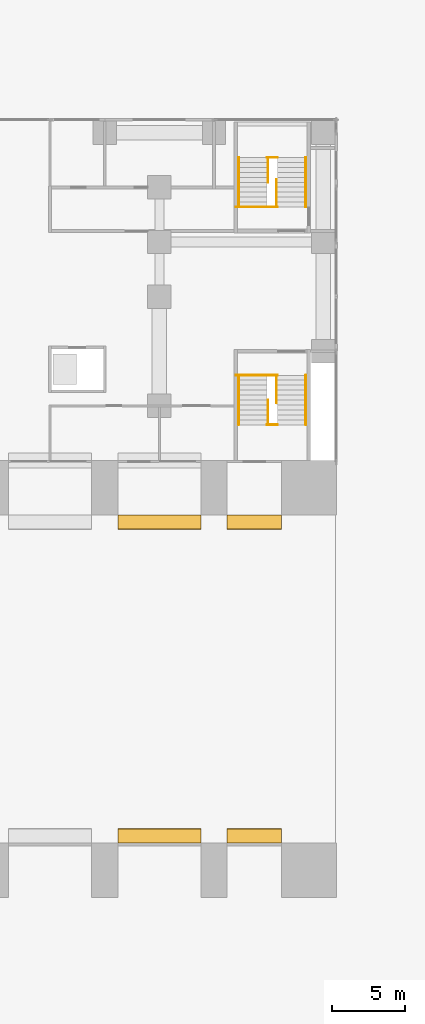
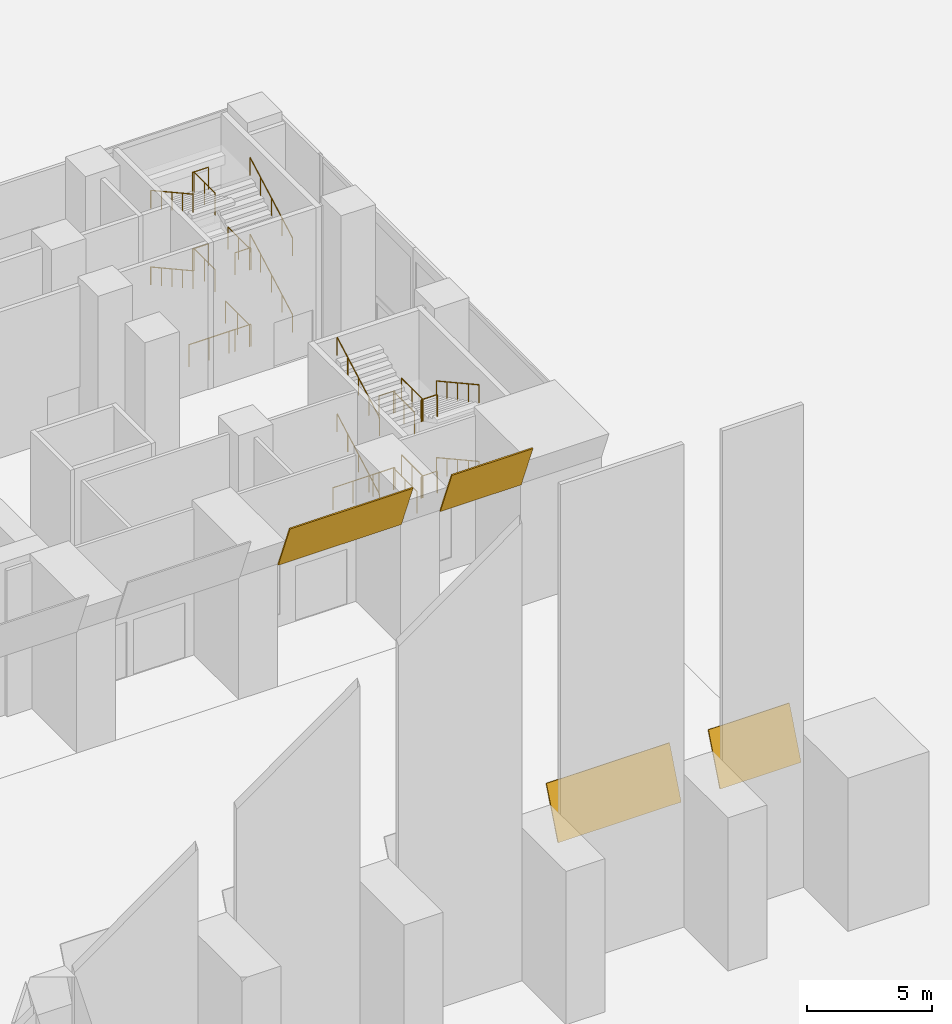
# One storey, part 20 of 21: 26 railings, 4 coverings.
"""IFC4 building model written with IfcOpenShell, lengths in metres."""

import ifcopenshell
import ifcopenshell.guid

model = None  # the IFC model being written
_history = None  # IfcOwnerHistory: only IFC2X3 demands one
_inside = {}  # id of a spatial element -> (the spatial element, [elements in it])
_under = {}  # id of a project, library or spatial element -> (it, [spatial elements below it])
_declared = {}  # id of a project -> (the project, [libraries it declares])
_typed = {}  # id of a type object -> (the type object, [elements of that type])
_made_of = {}  # id of a material, layer set ... -> (it, [elements and type objects made of it])


def new_model(schema):
    """Start an empty IFC model of exactly this schema.

    Asked for "IFC4X3", IfcOpenShell would pick the latest addendum, in which some entities
    have other attributes; the version numbers below select the first issue.
    IFC2X3 requires an IfcOwnerHistory on every rooted entity: one is made here for all.
    """
    global model, _history
    if schema == "IFC4X3":
        model = ifcopenshell.file(schema_version=(4, 3, 0, 0))
    else:
        model = ifcopenshell.file(schema=schema)
    _inside.clear()
    _under.clear()
    _declared.clear()
    _typed.clear()
    _made_of.clear()
    _history = None
    if model.schema == "IFC2X3":
        org = make("IfcOrganization", Name="unknown")
        user = make(
            "IfcPersonAndOrganization",
            ThePerson=make("IfcPerson", FamilyName="unknown"),
            TheOrganization=org,
        )
        app = make(
            "IfcApplication",
            ApplicationDeveloper=org,
            Version="unknown",
            ApplicationFullName="unknown",
            ApplicationIdentifier="unknown",
        )
        _history = make(
            "IfcOwnerHistory",
            OwningUser=user,
            OwningApplication=app,
            ChangeAction="ADDED",
            CreationDate=0,
        )
    return model


def make(cls, **values):
    """One entity of the class cls with the attributes given. An attribute that is None is left unset."""
    return model.create_entity(
        cls, **{name: value for name, value in values.items() if value is not None}
    )


def rooted(cls, **values):
    """An entity with a GlobalId (a new one), such as an element, a storey or a relation."""
    return make(cls, GlobalId=ifcopenshell.guid.new(), OwnerHistory=_history, **values)


def si_unit(unit_type, name, prefix=None):
    """IfcSIUnit, for example si_unit("LENGTHUNIT", "METRE", prefix="MILLI")."""
    return make("IfcSIUnit", UnitType=unit_type, Prefix=prefix, Name=name)


def assignment(units):
    """IfcUnitAssignment: the units of a project."""
    return None if units is None else make("IfcUnitAssignment", Units=units)


def point(xyz):
    """IfcCartesianPoint."""
    return None if xyz is None else make("IfcCartesianPoint", Coordinates=xyz)


def direction(xyz):
    """IfcDirection."""
    return None if xyz is None else make("IfcDirection", DirectionRatios=xyz)


def frame(location, z_axis=None, x_axis=None):
    """IfcAxis2Placement3D, a coordinate frame: its origin and axes. An axis left out is left unset."""
    return make(
        "IfcAxis2Placement3D",
        Location=point(location),
        Axis=direction(z_axis),
        RefDirection=direction(x_axis),
    )


def frame_2d(location, x_axis=None):
    """IfcAxis2Placement2D, a coordinate frame in the plane: its origin and x axis."""
    return make(
        "IfcAxis2Placement2D", Location=point(location), RefDirection=direction(x_axis)
    )


def origin():
    """The frame at (0, 0, 0) with its axes left unset."""
    return frame((0.0, 0.0, 0.0))


def origin_2d():
    """The frame at (0, 0) in the plane with its x axis left unset."""
    return frame_2d((0.0, 0.0))


def place(relative_to, where):
    """IfcLocalPlacement: puts the frame where relative to a parent placement (None: the world)."""
    return make(
        "IfcLocalPlacement", PlacementRelTo=relative_to, RelativePlacement=where
    )


def context(
    kind, dimensions, precision=None, world=None, true_north=None, identifier=None
):
    """IfcGeometricRepresentationContext, for example the 3D "Model" context."""
    return make(
        "IfcGeometricRepresentationContext",
        ContextIdentifier=identifier,
        ContextType=kind,
        CoordinateSpaceDimension=dimensions,
        Precision=precision,
        WorldCoordinateSystem=world,
        TrueNorth=true_north,
    )


def subcontext(parent, identifier, kind, view, scale=None):
    """IfcGeometricRepresentationSubContext, for example "Body" below "Model"."""
    return make(
        "IfcGeometricRepresentationSubContext",
        ContextIdentifier=identifier,
        ContextType=kind,
        ParentContext=parent,
        TargetScale=scale,
        TargetView=view,
    )


def project(units=None, contexts=None):
    """IfcProject with its units and contexts."""
    return rooted(
        "IfcProject",
        Name="project",
        RepresentationContexts=contexts,
        UnitsInContext=assignment(units),
    )


def spatial(cls, under=None, at=None, **own):
    """A site, building, storey or space (cls), placed at a placement, below another one or the project."""
    s = rooted(cls, ObjectPlacement=at, **own)
    if under is not None:
        _under.setdefault(under.id(), (under, []))[1].append(s)
    return s


def polyline(points):
    """IfcPolyline through the points."""
    return make("IfcPolyline", Points=[point(p) for p in points])


def profile(cls, at=None, kind="AREA", **sizes):
    """A parametric profile (cls). Its sizes go by their IFC names, for example OverallWidth=200.0."""
    return make(cls, ProfileType=kind, Position=at, **sizes)


def circle(**sizes):
    """IfcCircleProfileDef."""
    return profile("IfcCircleProfileDef", **sizes)


def outline(outer, holes=None, kind="AREA"):
    """IfcArbitraryClosedProfileDef: a profile drawn as a closed curve; with holes, ...WithVoids."""
    if holes is None:
        return make("IfcArbitraryClosedProfileDef", ProfileType=kind, OuterCurve=outer)
    return make(
        "IfcArbitraryProfileDefWithVoids",
        ProfileType=kind,
        OuterCurve=outer,
        InnerCurves=holes,
    )


def extrude(swept, where, along, depth):
    """IfcExtrudedAreaSolid: the profile swept, set in the frame where, extruded along a direction by depth."""
    return make(
        "IfcExtrudedAreaSolid",
        SweptArea=swept,
        Position=where,
        ExtrudedDirection=direction(along),
        Depth=depth,
    )


def shape(context_of_items, identifier, shape_type, items):
    """IfcShapeRepresentation: the items that make up one representation, for example the "Body"."""
    return make(
        "IfcShapeRepresentation",
        ContextOfItems=context_of_items,
        RepresentationIdentifier=identifier,
        RepresentationType=shape_type,
        Items=items,
    )


def material(Name=None, Category=None):
    """IfcMaterial."""
    return make("IfcMaterial", Name=Name, Category=Category)


def layer(
    of_material, thickness, ventilated=None, Name=None, Category=None, Priority=None
):
    """IfcMaterialLayer: one layer of a wall or slab, of a material (None: an air gap)."""
    return make(
        "IfcMaterialLayer",
        Material=of_material,
        LayerThickness=thickness,
        IsVentilated=ventilated,
        Name=Name,
        Category=Category,
        Priority=Priority,
    )


def layer_set(layers, Name=None):
    """IfcMaterialLayerSet."""
    return make("IfcMaterialLayerSet", MaterialLayers=layers, LayerSetName=Name)


def made_of(thing, what):
    """Note that an element or type object is made of a material, layer set ...; save() writes the relation."""
    if what is not None:
        _made_of.setdefault(what.id(), (what, []))[1].append(thing)
    return thing


def type_object(cls, material=None, **own):
    """A type object (cls), such as IfcWallType, which elements share."""
    return made_of(rooted(cls, **own), material)


def element(
    cls,
    number,
    at=None,
    inside=None,
    cuts=None,
    type_object=None,
    material=None,
    context=None,
    identifier="Body",
    shape_type=None,
    held_by="IfcProductDefinitionShape",
    body=None,
    shapes=None,
    **own,
):
    """One element of the class cls, such as IfcWall. Its Tag is "e" and its number.

    at: its placement. inside: the storey or other place that contains it. cuts: it is an
    opening in that element (IfcRelVoidsElement). A single representation is given by context,
    identifier, shape_type and body (its items); several are given by shapes. held_by: the class
    of the entity that holds the representations. save() writes the other relations.
    """
    e = rooted(cls, Tag="e%d" % number, ObjectPlacement=at, **own)
    if body is not None:
        shapes = [shape(context, identifier, shape_type, body)]
    if shapes is not None:
        e.Representation = make(held_by, Representations=shapes)
    if inside is not None:
        _inside.setdefault(inside.id(), (inside, []))[1].append(e)
    if cuts is not None:
        rooted(
            "IfcRelVoidsElement", RelatingBuildingElement=cuts, RelatedOpeningElement=e
        )
    if type_object is not None:
        _typed.setdefault(type_object.id(), (type_object, []))[1].append(e)
    return made_of(e, material)


def aggregate(whole, parts):
    """IfcRelAggregates: a whole, such as a stair, and the parts it consists of."""
    return rooted("IfcRelAggregates", RelatingObject=whole, RelatedObjects=parts)


def save(model, path):
    """Write the relations noted so far, then the file.

    IfcRelAggregates (storeys below a building ...), IfcRelContainedInSpatialStructure (elements
    in a storey), IfcRelDefinesByType, IfcRelAssociatesMaterial and IfcRelDeclares: one each for
    every whole, place, type object, material and project.
    """
    for whole, parts in _under.values():
        aggregate(whole, parts)
    for where, things in _inside.values():
        rooted(
            "IfcRelContainedInSpatialStructure",
            RelatedElements=things,
            RelatingStructure=where,
        )
    for kind, things in _typed.values():
        rooted("IfcRelDefinesByType", RelatedObjects=things, RelatingType=kind)
    for what, things in _made_of.values():
        rooted("IfcRelAssociatesMaterial", RelatedObjects=things, RelatingMaterial=what)
    for by, libraries in _declared.values():
        rooted("IfcRelDeclares", RelatingContext=by, RelatedDefinitions=libraries)
    model.write(path)


model = new_model("IFC4")

# Units and contexts
model_context = context("Model", 3, precision=1e-05, world=origin(), true_north=direction((0.0, 1.0)))
body_context = subcontext(model_context, "Body", "Model", "MODEL_VIEW")
ifc_project = project(units=[si_unit("LENGTHUNIT", "METRE"), si_unit("AREAUNIT", "SQUARE_METRE"), si_unit("VOLUMEUNIT", "CUBIC_METRE"), si_unit("PLANEANGLEUNIT", "RADIAN"), si_unit("MASSUNIT", "GRAM", prefix="KILO")], contexts=[model_context])

# Site, building, storey
site_placement = place(None, origin())
site = spatial("IfcSite", under=ifc_project, at=site_placement, CompositionType="ELEMENT")
building_placement = place(site_placement, origin())
building = spatial("IfcBuilding", under=site, at=building_placement, Name="Pilkhan Gate Tower", CompositionType="ELEMENT")
storey_placement = place(building_placement, origin())
storey = spatial("IfcBuildingStorey", under=building, at=storey_placement, Name="L00", CompositionType="ELEMENT", Elevation=0.0)

# Coverings
ifc_material_1 = material(Name="Concrete C40/50 precast", Category="concrete")
ifc_layer = layer(ifc_material_1, 0.06005859375)
ifc_layer_set = layer_set([ifc_layer], Name="Arch soffit panel ARC")
covering_type = type_object("IfcCoveringType", Name="Arch soffit panel ARC", PredefinedType="CLADDING", material=ifc_layer_set)
for number, where, z_axis, x_axis, name in (
    (1, (98.39990234375, 45.0, 6.0), (0.0, -0.928262787114, 0.371924989829), (1.0, 0.0, 0.0), "Arch soffit panel ARC-9.1"),
    (2, (98.39990234375, 66.5625, 8.33984375), (0.0, 0.928262787114, 0.371924989829), (1.0, 0.0, 0.0), "Arch soffit panel ARC-9.24"),
):
    element("IfcCovering", number, at=place(storey_placement, frame(where, z_axis=z_axis, x_axis=x_axis)), inside=storey, type_object=covering_type, Name=name, PredefinedType="CLADDING", context=body_context, shape_type="SweptSolid", body=[
        extrude(outline(polyline([(0.0, 0.0), (5.7001953125, 0.0), (5.7001953125, 2.52066955875102), (0.0, 2.52066955875102), (0.0, 0.0)])), origin(), (0.0, 0.0, -1.0), 0.06005859375),
    ])
for number, where, z_axis, x_axis, name in (
    (3, (105.89990234375, 45.0, 6.0), (0.0, -0.928262787114, 0.371924989829), (1.0, 0.0, 0.0), "Arch soffit panel ARC-10.1"),
    (4, (105.89990234375, 66.5625, 8.33984375), (0.0, 0.928262787114, 0.371924989829), (1.0, 0.0, 0.0), "Arch soffit panel ARC-10.24"),
):
    element("IfcCovering", number, at=place(storey_placement, frame(where, z_axis=z_axis, x_axis=x_axis)), inside=storey, type_object=covering_type, Name=name, PredefinedType="CLADDING", context=body_context, shape_type="SweptSolid", body=[
        extrude(outline(polyline([(0.0, 0.0), (3.75, 0.0), (3.75, 2.52066955875102), (0.0, 2.52066955875102), (0.0, 0.0)])), origin(), (0.0, 0.0, -1.0), 0.06005859375),
    ])

# Railings
ifc_material_2 = material(Name="Black powder-coated steel tube", Category="steel")
railing_type_1 = type_object("IfcRailingType", Name="Stair handrail HR1", PredefinedType="HANDRAIL", material=ifc_material_2)
railing_1_placement = place(storey_placement, frame((111.300048828125, 88.64990234375, 0.0)))
element("IfcRailing", 5, at=railing_1_placement, inside=storey, type_object=railing_type_1, Name="Stair PS2 handrail L00", PredefinedType="HANDRAIL", context=body_context, shape_type="SweptSolid", body=[
    extrude(circle(Radius=0.02392578125, at=origin_2d()), frame((0.0, 0.0, 0.8759765625), z_axis=(0.0, 0.875680375818, 0.482891167249), x_axis=(-1.0, 0.0, 0.0)), (0.0, 0.0, 1.0), 3.8828125),
    extrude(circle(Radius=0.02099609375, at=origin_2d()), origin(), (0.0, 0.0, 1.0), 0.851806640625),
    extrude(circle(Radius=0.02099609375, at=origin_2d()), frame((0.0, 0.85009765625, 0.46875)), (0.0, 0.0, 1.0), 0.851806640625),
    extrude(circle(Radius=0.02099609375, at=origin_2d()), frame((0.0, 1.7001953125, 0.9375)), (0.0, 0.0, 1.0), 0.851806640625),
    extrude(circle(Radius=0.02099609375, at=origin_2d()), frame((0.0, 2.550048828125, 1.40625)), (0.0, 0.0, 1.0), 0.851806640625),
    extrude(circle(Radius=0.02099609375, at=origin_2d()), frame((0.0, 3.400146484375, 1.875)), (0.0, 0.0, 1.0), 0.851806640625),
])
railing_2_placement = place(storey_placement, frame((106.699951171875, 92.050048828125, 1.875)))
element("IfcRailing", 6, at=railing_2_placement, inside=storey, type_object=railing_type_1, Name="Stair PS2 handrail L00", PredefinedType="HANDRAIL", context=body_context, shape_type="SweptSolid", body=[
    extrude(circle(Radius=0.02392578125, at=origin_2d()), frame((0.0, 0.0, 0.8759765625), z_axis=(0.0, -0.875680375818, 0.482891167249), x_axis=(1.0, 0.0, 0.0)), (0.0, 0.0, 1.0), 3.8828125),
    extrude(circle(Radius=0.02099609375, at=origin_2d()), origin(), (0.0, 0.0, 1.0), 0.851806640625),
    extrude(circle(Radius=0.02099609375, at=origin_2d()), frame((0.0, -0.85009765625, 0.46875)), (0.0, 0.0, 1.0), 0.851806640625),
    extrude(circle(Radius=0.02099609375, at=origin_2d()), frame((0.0, -1.7001953125, 0.9375)), (0.0, 0.0, 1.0), 0.851806640625),
    extrude(circle(Radius=0.02099609375, at=origin_2d()), frame((0.0, -2.550048828125, 1.40625)), (0.0, 0.0, 1.0), 0.851806640625),
    extrude(circle(Radius=0.02099609375, at=origin_2d()), frame((0.0, -3.400146484375, 1.875)), (0.0, 0.0, 1.0), 0.851806640625),
])
railing_3_placement = place(storey_placement, frame((111.300048828125, 88.64990234375, 3.75)))
element("IfcRailing", 7, at=railing_3_placement, inside=storey, type_object=railing_type_1, Name="Stair PS2 handrail L00", PredefinedType="HANDRAIL", context=body_context, shape_type="SweptSolid", body=[
    extrude(circle(Radius=0.02392578125, at=origin_2d()), frame((0.0, 0.0, 0.8759765625), z_axis=(0.0, 0.875680375818, 0.482891167249), x_axis=(-1.0, 0.0, 0.0)), (0.0, 0.0, 1.0), 3.8828125),
    extrude(circle(Radius=0.02099609375, at=origin_2d()), origin(), (0.0, 0.0, 1.0), 0.851806640625),
    extrude(circle(Radius=0.02099609375, at=origin_2d()), frame((0.0, 0.85009765625, 0.46875)), (0.0, 0.0, 1.0), 0.851806640625),
    extrude(circle(Radius=0.02099609375, at=origin_2d()), frame((0.0, 1.7001953125, 0.9375)), (0.0, 0.0, 1.0), 0.851806640625),
    extrude(circle(Radius=0.02099609375, at=origin_2d()), frame((0.0, 2.550048828125, 1.40625)), (0.0, 0.0, 1.0), 0.851806640625),
    extrude(circle(Radius=0.02099609375, at=origin_2d()), frame((0.0, 3.400146484375, 1.875)), (0.0, 0.0, 1.0), 0.851806640625),
])
for number, where, name in (
    (8, (106.699951171875, 92.050048828125, 5.625), "Stair PS2 handrail L00"),
    (9, (111.300048828125, 77.10009765625, 0.0), "Stair PS4 handrail L00"),
):
    element("IfcRailing", number, at=place(storey_placement, frame(where)), inside=storey, type_object=railing_type_1, Name=name, PredefinedType="HANDRAIL", context=body_context, shape_type="SweptSolid", body=[
        extrude(circle(Radius=0.02392578125, at=origin_2d()), frame((0.0, 0.0, 0.8759765625), z_axis=(0.0, -0.875680375818, 0.482891167249), x_axis=(1.0, 0.0, 0.0)), (0.0, 0.0, 1.0), 3.8828125),
        extrude(circle(Radius=0.02099609375, at=origin_2d()), origin(), (0.0, 0.0, 1.0), 0.851806640625),
        extrude(circle(Radius=0.02099609375, at=origin_2d()), frame((0.0, -0.85009765625, 0.46875)), (0.0, 0.0, 1.0), 0.851806640625),
        extrude(circle(Radius=0.02099609375, at=origin_2d()), frame((0.0, -1.7001953125, 0.9375)), (0.0, 0.0, 1.0), 0.851806640625),
        extrude(circle(Radius=0.02099609375, at=origin_2d()), frame((0.0, -2.550048828125, 1.40625)), (0.0, 0.0, 1.0), 0.851806640625),
        extrude(circle(Radius=0.02099609375, at=origin_2d()), frame((0.0, -3.400146484375, 1.875)), (0.0, 0.0, 1.0), 0.851806640625),
    ])
railing_4_placement = place(storey_placement, frame((106.699951171875, 73.699951171875, 1.875)))
element("IfcRailing", 10, at=railing_4_placement, inside=storey, type_object=railing_type_1, Name="Stair PS4 handrail L00", PredefinedType="HANDRAIL", context=body_context, shape_type="SweptSolid", body=[
    extrude(circle(Radius=0.02392578125, at=origin_2d()), frame((0.0, 0.0, 0.8759765625), z_axis=(0.0, 0.875680375818, 0.482891167249), x_axis=(-1.0, 0.0, 0.0)), (0.0, 0.0, 1.0), 3.8828125),
    extrude(circle(Radius=0.02099609375, at=origin_2d()), origin(), (0.0, 0.0, 1.0), 0.851806640625),
    extrude(circle(Radius=0.02099609375, at=origin_2d()), frame((0.0, 0.85009765625, 0.46875)), (0.0, 0.0, 1.0), 0.851806640625),
    extrude(circle(Radius=0.02099609375, at=origin_2d()), frame((0.0, 1.7001953125, 0.9375)), (0.0, 0.0, 1.0), 0.851806640625),
    extrude(circle(Radius=0.02099609375, at=origin_2d()), frame((0.0, 2.550048828125, 1.40625)), (0.0, 0.0, 1.0), 0.851806640625),
    extrude(circle(Radius=0.02099609375, at=origin_2d()), frame((0.0, 3.400146484375, 1.875)), (0.0, 0.0, 1.0), 0.851806640625),
])
railing_5_placement = place(storey_placement, frame((111.300048828125, 77.10009765625, 3.75)))
element("IfcRailing", 11, at=railing_5_placement, inside=storey, type_object=railing_type_1, Name="Stair PS4 handrail L00", PredefinedType="HANDRAIL", context=body_context, shape_type="SweptSolid", body=[
    extrude(circle(Radius=0.02392578125, at=origin_2d()), frame((0.0, 0.0, 0.8759765625), z_axis=(0.0, -0.875680375818, 0.482891167249), x_axis=(1.0, 0.0, 0.0)), (0.0, 0.0, 1.0), 3.8828125),
    extrude(circle(Radius=0.02099609375, at=origin_2d()), origin(), (0.0, 0.0, 1.0), 0.851806640625),
    extrude(circle(Radius=0.02099609375, at=origin_2d()), frame((0.0, -0.85009765625, 0.46875)), (0.0, 0.0, 1.0), 0.851806640625),
    extrude(circle(Radius=0.02099609375, at=origin_2d()), frame((0.0, -1.7001953125, 0.9375)), (0.0, 0.0, 1.0), 0.851806640625),
    extrude(circle(Radius=0.02099609375, at=origin_2d()), frame((0.0, -2.550048828125, 1.40625)), (0.0, 0.0, 1.0), 0.851806640625),
    extrude(circle(Radius=0.02099609375, at=origin_2d()), frame((0.0, -3.400146484375, 1.875)), (0.0, 0.0, 1.0), 0.851806640625),
])
railing_6_placement = place(storey_placement, frame((106.699951171875, 73.699951171875, 5.625)))
element("IfcRailing", 12, at=railing_6_placement, inside=storey, type_object=railing_type_1, Name="Stair PS4 handrail L00", PredefinedType="HANDRAIL", context=body_context, shape_type="SweptSolid", body=[
    extrude(circle(Radius=0.02392578125, at=origin_2d()), frame((0.0, 0.0, 0.8759765625), z_axis=(0.0, 0.875680375818, 0.482891167249), x_axis=(-1.0, 0.0, 0.0)), (0.0, 0.0, 1.0), 3.8828125),
    extrude(circle(Radius=0.02099609375, at=origin_2d()), origin(), (0.0, 0.0, 1.0), 0.851806640625),
    extrude(circle(Radius=0.02099609375, at=origin_2d()), frame((0.0, 0.85009765625, 0.46875)), (0.0, 0.0, 1.0), 0.851806640625),
    extrude(circle(Radius=0.02099609375, at=origin_2d()), frame((0.0, 1.7001953125, 0.9375)), (0.0, 0.0, 1.0), 0.851806640625),
    extrude(circle(Radius=0.02099609375, at=origin_2d()), frame((0.0, 2.550048828125, 1.40625)), (0.0, 0.0, 1.0), 0.851806640625),
    extrude(circle(Radius=0.02099609375, at=origin_2d()), frame((0.0, 3.400146484375, 1.875)), (0.0, 0.0, 1.0), 0.851806640625),
])
ifc_material_3 = material(Name="Black powder-coated steel balusters", Category="steel")
railing_type_2 = type_object("IfcRailingType", Name="Stair well guard G3", PredefinedType="GUARDRAIL", material=ifc_material_3)
railing_7_placement = place(storey_placement, frame((109.3701171875, 88.64990234375, 0.0)))
element("IfcRailing", 13, at=railing_7_placement, inside=storey, type_object=railing_type_2, Name="Stair PS2 well guard L00", PredefinedType="GUARDRAIL", context=body_context, shape_type="SweptSolid", body=[
    extrude(circle(Radius=0.02392578125, at=origin_2d()), frame((0.0, 0.0, 1.076171875), z_axis=(-1.0, 0.0, 0.0), x_axis=(0.0, -1.0, 0.0)), (0.0, 0.0, 1.0), 0.740234375),
    extrude(circle(Radius=0.02099609375, at=origin_2d()), origin(), (0.0, 0.0, 1.0), 1.052001953125),
    extrude(circle(Radius=0.02099609375, at=origin_2d()), frame((-0.740234375, 0.0, 0.0)), (0.0, 0.0, 1.0), 1.052001953125),
])
railing_8_placement = place(storey_placement, frame((109.300048828125, 88.64990234375, 0.0)))
element("IfcRailing", 14, at=railing_8_placement, inside=storey, type_object=railing_type_2, Name="Stair PS2 well guard L00", PredefinedType="GUARDRAIL", context=body_context, shape_type="SweptSolid", body=[
    extrude(circle(Radius=0.02392578125, at=origin_2d()), frame((0.0, 0.0, 1.076171875), z_axis=(-1.0, 0.0, 0.0), x_axis=(0.0, -1.0, 0.0)), (0.0, 0.0, 1.0), 2.800048828125),
    extrude(circle(Radius=0.02099609375, at=origin_2d()), origin(), (0.0, 0.0, 1.0), 1.052001953125),
    extrude(circle(Radius=0.02099609375, at=origin_2d()), frame((-0.933349609375, 0.0, 0.0)), (0.0, 0.0, 1.0), 1.052001953125),
    extrude(circle(Radius=0.02099609375, at=origin_2d()), frame((-1.86669921875, 0.0, 0.0)), (0.0, 0.0, 1.0), 1.052001953125),
    extrude(circle(Radius=0.02099609375, at=origin_2d()), frame((-2.800048828125, 0.0, 0.0)), (0.0, 0.0, 1.0), 1.052001953125),
])
railing_9_placement = place(storey_placement, frame((109.300048828125, 88.64990234375, 0.0)))
element("IfcRailing", 15, at=railing_9_placement, inside=storey, type_object=railing_type_2, Name="Stair PS2 well guard L00", PredefinedType="GUARDRAIL", context=body_context, shape_type="SweptSolid", body=[
    extrude(circle(Radius=0.02392578125, at=origin_2d()), frame((0.0, 0.0, 1.076171875), z_axis=(0.0, 1.0, 0.0), x_axis=(-1.0, 0.0, 0.0)), (0.0, 0.0, 1.0), 1.900146484375),
    extrude(circle(Radius=0.02099609375, at=origin_2d()), origin(), (0.0, 0.0, 1.0), 1.052001953125),
    extrude(circle(Radius=0.02099609375, at=origin_2d()), frame((0.0, 0.9501953125, 0.0)), (0.0, 0.0, 1.0), 1.052001953125),
    extrude(circle(Radius=0.02099609375, at=origin_2d()), frame((0.0, 1.900146484375, 0.0)), (0.0, 0.0, 1.0), 1.052001953125),
])
railing_10_placement = place(storey_placement, frame((109.3701171875, 92.050048828125, 1.875)))
element("IfcRailing", 16, at=railing_10_placement, inside=storey, type_object=railing_type_2, Name="Stair PS2 well guard L00", PredefinedType="GUARDRAIL", context=body_context, shape_type="SweptSolid", body=[
    extrude(circle(Radius=0.02392578125, at=origin_2d()), frame((0.0, 0.0, 1.076171875), z_axis=(-1.0, 0.0, 0.0), x_axis=(0.0, -1.0, 0.0)), (0.0, 0.0, 1.0), 0.740234375),
    extrude(circle(Radius=0.02099609375, at=origin_2d()), origin(), (0.0, 0.0, 1.0), 1.052001953125),
    extrude(circle(Radius=0.02099609375, at=origin_2d()), frame((-0.740234375, 0.0, 0.0)), (0.0, 0.0, 1.0), 1.052001953125),
])
railing_11_placement = place(storey_placement, frame((108.699951171875, 90.35009765625, 1.875)))
element("IfcRailing", 17, at=railing_11_placement, inside=storey, type_object=railing_type_2, Name="Stair PS2 well guard L00", PredefinedType="GUARDRAIL", context=body_context, shape_type="SweptSolid", body=[
    extrude(circle(Radius=0.02392578125, at=origin_2d()), frame((0.0, 0.0, 1.076171875), z_axis=(0.0, 1.0, 0.0), x_axis=(-1.0, 0.0, 0.0)), (0.0, 0.0, 1.0), 1.699951171875),
    extrude(circle(Radius=0.02099609375, at=origin_2d()), origin(), (0.0, 0.0, 1.0), 1.052001953125),
    extrude(circle(Radius=0.02099609375, at=origin_2d()), frame((0.0, 0.85009765625, 0.0)), (0.0, 0.0, 1.0), 1.052001953125),
    extrude(circle(Radius=0.02099609375, at=origin_2d()), frame((0.0, 1.699951171875, 0.0)), (0.0, 0.0, 1.0), 1.052001953125),
])
railing_12_placement = place(storey_placement, frame((109.3701171875, 88.64990234375, 3.75)))
element("IfcRailing", 18, at=railing_12_placement, inside=storey, type_object=railing_type_2, Name="Stair PS2 well guard L00", PredefinedType="GUARDRAIL", context=body_context, shape_type="SweptSolid", body=[
    extrude(circle(Radius=0.02392578125, at=origin_2d()), frame((0.0, 0.0, 1.076171875), z_axis=(-1.0, 0.0, 0.0), x_axis=(0.0, -1.0, 0.0)), (0.0, 0.0, 1.0), 0.740234375),
    extrude(circle(Radius=0.02099609375, at=origin_2d()), origin(), (0.0, 0.0, 1.0), 1.052001953125),
    extrude(circle(Radius=0.02099609375, at=origin_2d()), frame((-0.740234375, 0.0, 0.0)), (0.0, 0.0, 1.0), 1.052001953125),
])
railing_13_placement = place(storey_placement, frame((109.300048828125, 88.64990234375, 3.75)))
element("IfcRailing", 19, at=railing_13_placement, inside=storey, type_object=railing_type_2, Name="Stair PS2 well guard L00", PredefinedType="GUARDRAIL", context=body_context, shape_type="SweptSolid", body=[
    extrude(circle(Radius=0.02392578125, at=origin_2d()), frame((0.0, 0.0, 1.076171875), z_axis=(0.0, 1.0, 0.0), x_axis=(-1.0, 0.0, 0.0)), (0.0, 0.0, 1.0), 1.7001953125),
    extrude(circle(Radius=0.02099609375, at=origin_2d()), origin(), (0.0, 0.0, 1.0), 1.052001953125),
    extrude(circle(Radius=0.02099609375, at=origin_2d()), frame((0.0, 0.85009765625, 0.0)), (0.0, 0.0, 1.0), 1.052001953125),
    extrude(circle(Radius=0.02099609375, at=origin_2d()), frame((0.0, 1.7001953125, 0.0)), (0.0, 0.0, 1.0), 1.052001953125),
])
railing_14_placement = place(storey_placement, frame((109.3701171875, 92.050048828125, 5.625)))
element("IfcRailing", 20, at=railing_14_placement, inside=storey, type_object=railing_type_2, Name="Stair PS2 well guard L00", PredefinedType="GUARDRAIL", context=body_context, shape_type="SweptSolid", body=[
    extrude(circle(Radius=0.02392578125, at=origin_2d()), frame((0.0, 0.0, 1.076171875), z_axis=(-1.0, 0.0, 0.0), x_axis=(0.0, -1.0, 0.0)), (0.0, 0.0, 1.0), 0.740234375),
    extrude(circle(Radius=0.02099609375, at=origin_2d()), origin(), (0.0, 0.0, 1.0), 1.052001953125),
    extrude(circle(Radius=0.02099609375, at=origin_2d()), frame((-0.740234375, 0.0, 0.0)), (0.0, 0.0, 1.0), 1.052001953125),
])
railing_15_placement = place(storey_placement, frame((108.699951171875, 90.35009765625, 5.625)))
element("IfcRailing", 21, at=railing_15_placement, inside=storey, type_object=railing_type_2, Name="Stair PS2 well guard L00", PredefinedType="GUARDRAIL", context=body_context, shape_type="SweptSolid", body=[
    extrude(circle(Radius=0.02392578125, at=origin_2d()), frame((0.0, 0.0, 1.076171875), z_axis=(0.0, 1.0, 0.0), x_axis=(-1.0, 0.0, 0.0)), (0.0, 0.0, 1.0), 1.699951171875),
    extrude(circle(Radius=0.02099609375, at=origin_2d()), origin(), (0.0, 0.0, 1.0), 1.052001953125),
    extrude(circle(Radius=0.02099609375, at=origin_2d()), frame((0.0, 0.85009765625, 0.0)), (0.0, 0.0, 1.0), 1.052001953125),
    extrude(circle(Radius=0.02099609375, at=origin_2d()), frame((0.0, 1.699951171875, 0.0)), (0.0, 0.0, 1.0), 1.052001953125),
])
railing_16_placement = place(storey_placement, frame((109.3701171875, 77.10009765625, 0.0)))
element("IfcRailing", 22, at=railing_16_placement, inside=storey, type_object=railing_type_2, Name="Stair PS4 well guard L00", PredefinedType="GUARDRAIL", context=body_context, shape_type="SweptSolid", body=[
    extrude(circle(Radius=0.02392578125, at=origin_2d()), frame((0.0, 0.0, 1.076171875), z_axis=(-1.0, 0.0, 0.0), x_axis=(0.0, -1.0, 0.0)), (0.0, 0.0, 1.0), 0.740234375),
    extrude(circle(Radius=0.02099609375, at=origin_2d()), origin(), (0.0, 0.0, 1.0), 1.052001953125),
    extrude(circle(Radius=0.02099609375, at=origin_2d()), frame((-0.740234375, 0.0, 0.0)), (0.0, 0.0, 1.0), 1.052001953125),
])
railing_17_placement = place(storey_placement, frame((109.300048828125, 77.10009765625, 0.0)))
element("IfcRailing", 23, at=railing_17_placement, inside=storey, type_object=railing_type_2, Name="Stair PS4 well guard L00", PredefinedType="GUARDRAIL", context=body_context, shape_type="SweptSolid", body=[
    extrude(circle(Radius=0.02392578125, at=origin_2d()), frame((0.0, 0.0, 1.076171875), z_axis=(-1.0, 0.0, 0.0), x_axis=(0.0, -1.0, 0.0)), (0.0, 0.0, 1.0), 2.800048828125),
    extrude(circle(Radius=0.02099609375, at=origin_2d()), origin(), (0.0, 0.0, 1.0), 1.052001953125),
    extrude(circle(Radius=0.02099609375, at=origin_2d()), frame((-0.933349609375, 0.0, 0.0)), (0.0, 0.0, 1.0), 1.052001953125),
    extrude(circle(Radius=0.02099609375, at=origin_2d()), frame((-1.86669921875, 0.0, 0.0)), (0.0, 0.0, 1.0), 1.052001953125),
    extrude(circle(Radius=0.02099609375, at=origin_2d()), frame((-2.800048828125, 0.0, 0.0)), (0.0, 0.0, 1.0), 1.052001953125),
])
railing_18_placement = place(storey_placement, frame((109.300048828125, 77.10009765625, 0.0)))
element("IfcRailing", 24, at=railing_18_placement, inside=storey, type_object=railing_type_2, Name="Stair PS4 well guard L00", PredefinedType="GUARDRAIL", context=body_context, shape_type="SweptSolid", body=[
    extrude(circle(Radius=0.02392578125, at=origin_2d()), frame((0.0, 0.0, 1.076171875), z_axis=(0.0, -1.0, 0.0), x_axis=(1.0, 0.0, 0.0)), (0.0, 0.0, 1.0), 1.900146484375),
    extrude(circle(Radius=0.02099609375, at=origin_2d()), origin(), (0.0, 0.0, 1.0), 1.052001953125),
    extrude(circle(Radius=0.02099609375, at=origin_2d()), frame((0.0, -0.9501953125, 0.0)), (0.0, 0.0, 1.0), 1.052001953125),
    extrude(circle(Radius=0.02099609375, at=origin_2d()), frame((0.0, -1.900146484375, 0.0)), (0.0, 0.0, 1.0), 1.052001953125),
])
railing_19_placement = place(storey_placement, frame((109.3701171875, 73.699951171875, 1.875)))
element("IfcRailing", 25, at=railing_19_placement, inside=storey, type_object=railing_type_2, Name="Stair PS4 well guard L00", PredefinedType="GUARDRAIL", context=body_context, shape_type="SweptSolid", body=[
    extrude(circle(Radius=0.02392578125, at=origin_2d()), frame((0.0, 0.0, 1.076171875), z_axis=(-1.0, 0.0, 0.0), x_axis=(0.0, -1.0, 0.0)), (0.0, 0.0, 1.0), 0.740234375),
    extrude(circle(Radius=0.02099609375, at=origin_2d()), origin(), (0.0, 0.0, 1.0), 1.052001953125),
    extrude(circle(Radius=0.02099609375, at=origin_2d()), frame((-0.740234375, 0.0, 0.0)), (0.0, 0.0, 1.0), 1.052001953125),
])
railing_20_placement = place(storey_placement, frame((108.699951171875, 75.39990234375, 1.875)))
element("IfcRailing", 26, at=railing_20_placement, inside=storey, type_object=railing_type_2, Name="Stair PS4 well guard L00", PredefinedType="GUARDRAIL", context=body_context, shape_type="SweptSolid", body=[
    extrude(circle(Radius=0.02392578125, at=origin_2d()), frame((0.0, 0.0, 1.076171875), z_axis=(0.0, -1.0, 0.0), x_axis=(1.0, 0.0, 0.0)), (0.0, 0.0, 1.0), 1.699951171875),
    extrude(circle(Radius=0.02099609375, at=origin_2d()), origin(), (0.0, 0.0, 1.0), 1.052001953125),
    extrude(circle(Radius=0.02099609375, at=origin_2d()), frame((0.0, -0.85009765625, 0.0)), (0.0, 0.0, 1.0), 1.052001953125),
    extrude(circle(Radius=0.02099609375, at=origin_2d()), frame((0.0, -1.699951171875, 0.0)), (0.0, 0.0, 1.0), 1.052001953125),
])
railing_21_placement = place(storey_placement, frame((109.3701171875, 77.10009765625, 3.75)))
element("IfcRailing", 27, at=railing_21_placement, inside=storey, type_object=railing_type_2, Name="Stair PS4 well guard L00", PredefinedType="GUARDRAIL", context=body_context, shape_type="SweptSolid", body=[
    extrude(circle(Radius=0.02392578125, at=origin_2d()), frame((0.0, 0.0, 1.076171875), z_axis=(-1.0, 0.0, 0.0), x_axis=(0.0, -1.0, 0.0)), (0.0, 0.0, 1.0), 0.740234375),
    extrude(circle(Radius=0.02099609375, at=origin_2d()), origin(), (0.0, 0.0, 1.0), 1.052001953125),
    extrude(circle(Radius=0.02099609375, at=origin_2d()), frame((-0.740234375, 0.0, 0.0)), (0.0, 0.0, 1.0), 1.052001953125),
])
railing_22_placement = place(storey_placement, frame((109.300048828125, 77.10009765625, 3.75)))
element("IfcRailing", 28, at=railing_22_placement, inside=storey, type_object=railing_type_2, Name="Stair PS4 well guard L00", PredefinedType="GUARDRAIL", context=body_context, shape_type="SweptSolid", body=[
    extrude(circle(Radius=0.02392578125, at=origin_2d()), frame((0.0, 0.0, 1.076171875), z_axis=(0.0, -1.0, 0.0), x_axis=(1.0, 0.0, 0.0)), (0.0, 0.0, 1.0), 1.7001953125),
    extrude(circle(Radius=0.02099609375, at=origin_2d()), origin(), (0.0, 0.0, 1.0), 1.052001953125),
    extrude(circle(Radius=0.02099609375, at=origin_2d()), frame((0.0, -0.85009765625, 0.0)), (0.0, 0.0, 1.0), 1.052001953125),
    extrude(circle(Radius=0.02099609375, at=origin_2d()), frame((0.0, -1.7001953125, 0.0)), (0.0, 0.0, 1.0), 1.052001953125),
])
railing_23_placement = place(storey_placement, frame((109.3701171875, 73.699951171875, 5.625)))
element("IfcRailing", 29, at=railing_23_placement, inside=storey, type_object=railing_type_2, Name="Stair PS4 well guard L00", PredefinedType="GUARDRAIL", context=body_context, shape_type="SweptSolid", body=[
    extrude(circle(Radius=0.02392578125, at=origin_2d()), frame((0.0, 0.0, 1.076171875), z_axis=(-1.0, 0.0, 0.0), x_axis=(0.0, -1.0, 0.0)), (0.0, 0.0, 1.0), 0.740234375),
    extrude(circle(Radius=0.02099609375, at=origin_2d()), origin(), (0.0, 0.0, 1.0), 1.052001953125),
    extrude(circle(Radius=0.02099609375, at=origin_2d()), frame((-0.740234375, 0.0, 0.0)), (0.0, 0.0, 1.0), 1.052001953125),
])
railing_24_placement = place(storey_placement, frame((108.699951171875, 75.39990234375, 5.625)))
element("IfcRailing", 30, at=railing_24_placement, inside=storey, type_object=railing_type_2, Name="Stair PS4 well guard L00", PredefinedType="GUARDRAIL", context=body_context, shape_type="SweptSolid", body=[
    extrude(circle(Radius=0.02392578125, at=origin_2d()), frame((0.0, 0.0, 1.076171875), z_axis=(0.0, -1.0, 0.0), x_axis=(1.0, 0.0, 0.0)), (0.0, 0.0, 1.0), 1.699951171875),
    extrude(circle(Radius=0.02099609375, at=origin_2d()), origin(), (0.0, 0.0, 1.0), 1.052001953125),
    extrude(circle(Radius=0.02099609375, at=origin_2d()), frame((0.0, -0.85009765625, 0.0)), (0.0, 0.0, 1.0), 1.052001953125),
    extrude(circle(Radius=0.02099609375, at=origin_2d()), frame((0.0, -1.699951171875, 0.0)), (0.0, 0.0, 1.0), 1.052001953125),
])

save(model, "model.ifc")
